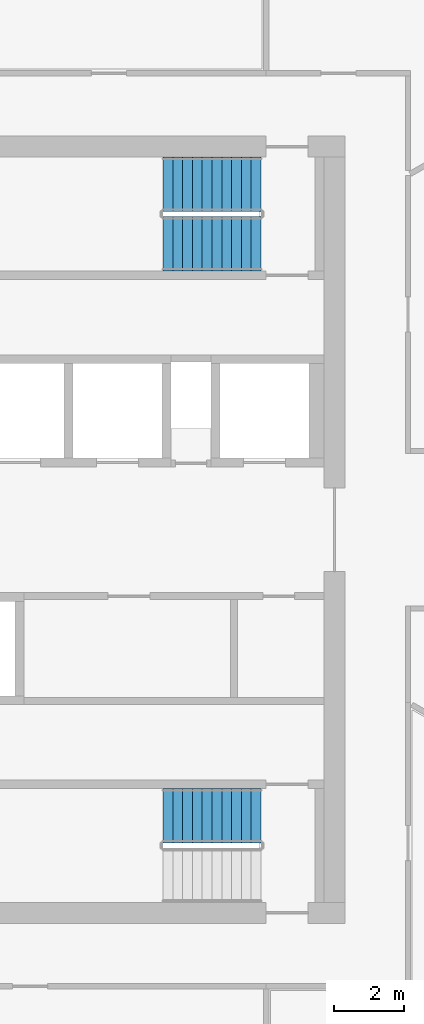
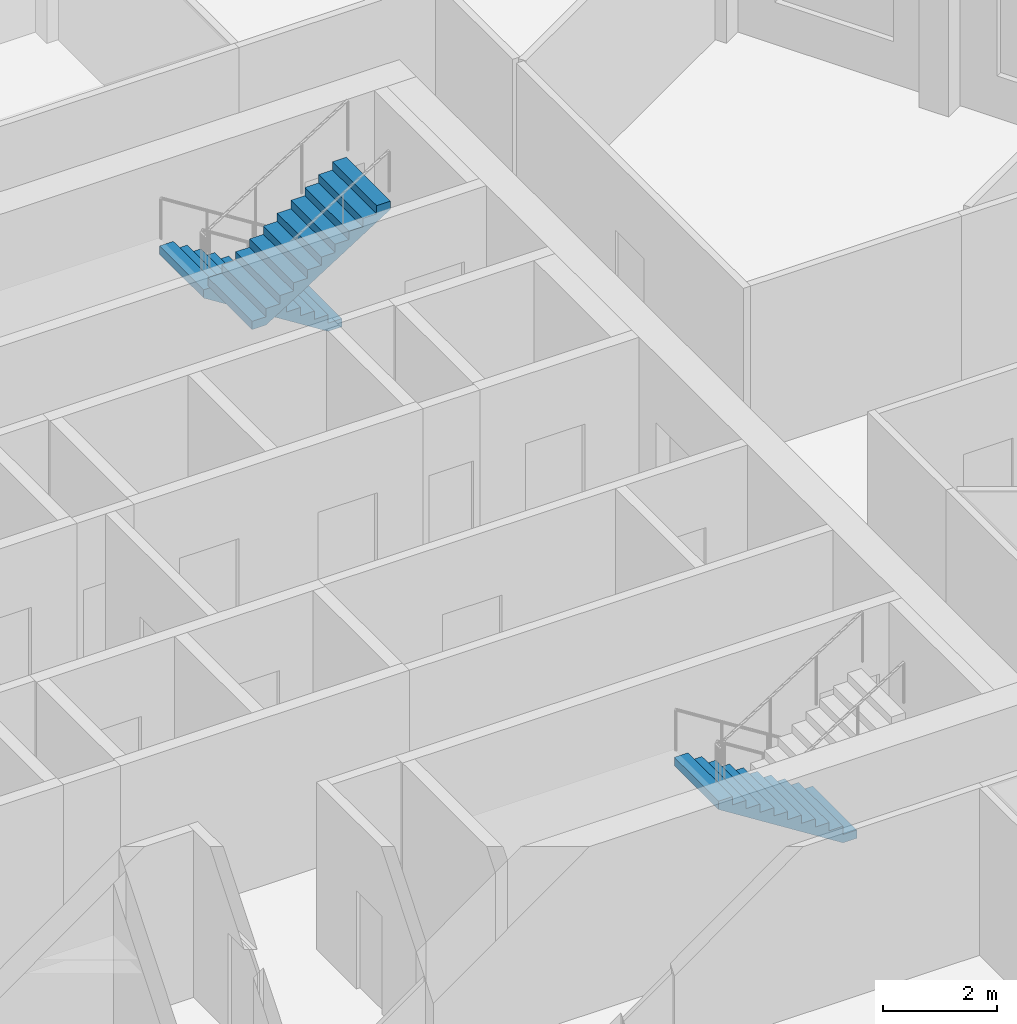
# One storey, part 7 of 10: 3 stair flights, 2 elements without a shape of their own.
"""IFC4 building model written with IfcOpenShell, lengths in metres."""

from ifc_helpers import new_model, si_unit, direction, frame, origin, place, context, subcontext, project, spatial, polyline, outline, extrude, material, type_object, element, aggregate, save


model = new_model("IFC4")

# Units and contexts
model_context = context("Model", 3, precision=1e-05, world=origin(), true_north=direction((0.0, 1.0)))
body_context = subcontext(model_context, "Body", "Model", "MODEL_VIEW")
ifc_project = project(units=[si_unit("LENGTHUNIT", "METRE"), si_unit("AREAUNIT", "SQUARE_METRE"), si_unit("VOLUMEUNIT", "CUBIC_METRE"), si_unit("PLANEANGLEUNIT", "RADIAN"), si_unit("MASSUNIT", "GRAM", prefix="KILO")], contexts=[model_context])

# Site, building, storey
site_placement = place(None, origin())
site = spatial("IfcSite", under=ifc_project, at=site_placement, CompositionType="ELEMENT")
building_placement = place(site_placement, origin())
building = spatial("IfcBuilding", under=site, at=building_placement, Name="Dhurran Vertical Campus", CompositionType="ELEMENT")
storey_placement = place(building_placement, frame((0.0, 0.0, 298.199951171875)))
storey = spatial("IfcBuildingStorey", under=building, at=storey_placement, Name="L74", CompositionType="ELEMENT", Elevation=298.199951171875)

# Stair, stair flights
ifc_material_1 = material(Name="Concrete C40/50", Category="concrete")
stair_type = type_object("IfcStairType", Name="co-ST-CORE", PredefinedType="HALF_TURN_STAIR", material=ifc_material_1)
stair_1_placement = place(storey_placement, origin())
stair_1 = element("IfcStair", 1, at=stair_1_placement, inside=storey, type_object=stair_type, Name="L74 Protected exit stair ST2", PredefinedType="HALF_TURN_STAIR")
ifc_material_2 = material(Name="Concrete C40/50", Category="concrete")
stair_flight_type = type_object("IfcStairFlightType", Name="co-SFL-RC", PredefinedType="STRAIGHT", material=ifc_material_2)
stair_flight_1_placement = place(storey_placement, frame((11.10009765625, 9.875, 0.0), z_axis=(0.0, 0.0, 1.0), x_axis=(-1.0, 0.0, 0.0)))
stair_flight_1 = element("IfcStairFlight", 2, at=stair_flight_1_placement, type_object=stair_flight_type, Name="ST2 flight 1", NumberOfRisers=11, NumberOfTreads=10, PredefinedType="STRAIGHT", RiserHeight=0.177272727, TreadLength=0.28, context=body_context, shape_type="SweptSolid", body=[
    extrude(outline(polyline([(0.0, 0.0), (0.0, 0.17724609375), (0.280029296875, 0.17724609375), (0.280029296875, 0.3544921875), (0.56005859375, 0.3544921875), (0.56005859375, 0.53173828125), (0.840087890625, 0.53173828125), (0.840087890625, 0.708984375), (1.1201171875, 0.708984375), (1.1201171875, 0.886474609375), (1.39990234375, 0.886474609375), (1.39990234375, 1.063720703125), (1.679931640625, 1.063720703125), (1.679931640625, 1.240966796875), (1.9599609375, 1.240966796875), (1.9599609375, 1.418212890625), (2.239990234375, 1.418212890625), (2.239990234375, 1.595458984375), (2.52001953125, 1.595458984375), (2.52001953125, 1.772705078125), (2.800048828125, 1.772705078125), (2.800048828125, 1.949951171875), (2.800048828125, 1.59521484375), (0.2802734375, 0.0), (0.0, 0.0)])), frame((0.0, 0.77490234375, 0.0), z_axis=(0.0, -1.0, 0.0), x_axis=(1.0, 0.0, 0.0)), (0.0, 0.0, 1.0), 1.550048828125),
])
stair_flight_2_placement = place(storey_placement, frame((8.300048828125, 8.175048828125, 1.949951171875), z_axis=(0.0, 0.0, 1.0), x_axis=(1.0, 0.0, 0.0)))
stair_flight_2 = element("IfcStairFlight", 3, at=stair_flight_2_placement, type_object=stair_flight_type, Name="ST2 flight 2", NumberOfRisers=11, NumberOfTreads=10, PredefinedType="STRAIGHT", RiserHeight=0.177272727, TreadLength=0.28, context=body_context, shape_type="SweptSolid", body=[
    extrude(outline(polyline([(0.0, 0.0), (0.0, 0.17724609375), (0.280029296875, 0.17724609375), (0.280029296875, 0.3544921875), (0.56005859375, 0.3544921875), (0.56005859375, 0.53173828125), (0.840087890625, 0.53173828125), (0.840087890625, 0.708984375), (1.1201171875, 0.708984375), (1.1201171875, 0.886474609375), (1.39990234375, 0.886474609375), (1.39990234375, 1.063720703125), (1.679931640625, 1.063720703125), (1.679931640625, 1.240966796875), (1.9599609375, 1.240966796875), (1.9599609375, 1.418212890625), (2.239990234375, 1.418212890625), (2.239990234375, 1.595458984375), (2.52001953125, 1.595458984375), (2.52001953125, 1.772705078125), (2.800048828125, 1.772705078125), (2.800048828125, 1.949951171875), (2.800048828125, 1.59521484375), (0.2802734375, 0.0), (0.0, 0.0)])), frame((0.0, 0.77490234375, 0.0), z_axis=(0.0, -1.0, 0.0), x_axis=(1.0, 0.0, 0.0)), (0.0, 0.0, 1.0), 1.550048828125),
])
aggregate(stair_1, [stair_flight_1, stair_flight_2])

# Stair, stair flight
stair_2_placement = place(storey_placement, origin())
stair_2 = element("IfcStair", 4, at=stair_2_placement, inside=storey, type_object=stair_type, Name="L74 Protected exit stair ST4", PredefinedType="HALF_TURN_STAIR")
stair_flight_3_placement = place(storey_placement, frame((11.10009765625, -8.175048828125, 0.0), z_axis=(0.0, 0.0, 1.0), x_axis=(-1.0, 0.0, 0.0)))
stair_flight_3 = element("IfcStairFlight", 5, at=stair_flight_3_placement, type_object=stair_flight_type, Name="ST4 flight 1", NumberOfRisers=11, NumberOfTreads=10, PredefinedType="STRAIGHT", RiserHeight=0.177272727, TreadLength=0.28, context=body_context, shape_type="SweptSolid", body=[
    extrude(outline(polyline([(0.0, 0.0), (0.0, 0.17724609375), (0.280029296875, 0.17724609375), (0.280029296875, 0.3544921875), (0.56005859375, 0.3544921875), (0.56005859375, 0.53173828125), (0.840087890625, 0.53173828125), (0.840087890625, 0.708984375), (1.1201171875, 0.708984375), (1.1201171875, 0.886474609375), (1.39990234375, 0.886474609375), (1.39990234375, 1.063720703125), (1.679931640625, 1.063720703125), (1.679931640625, 1.240966796875), (1.9599609375, 1.240966796875), (1.9599609375, 1.418212890625), (2.239990234375, 1.418212890625), (2.239990234375, 1.595458984375), (2.52001953125, 1.595458984375), (2.52001953125, 1.772705078125), (2.800048828125, 1.772705078125), (2.800048828125, 1.949951171875), (2.800048828125, 1.59521484375), (0.2802734375, 0.0), (0.0, 0.0)])), frame((0.0, 0.77490234375, 0.0), z_axis=(0.0, -1.0, 0.0), x_axis=(1.0, 0.0, 0.0)), (0.0, 0.0, 1.0), 1.550048828125),
])
aggregate(stair_2, [stair_flight_3])

save(model, "model.ifc")
